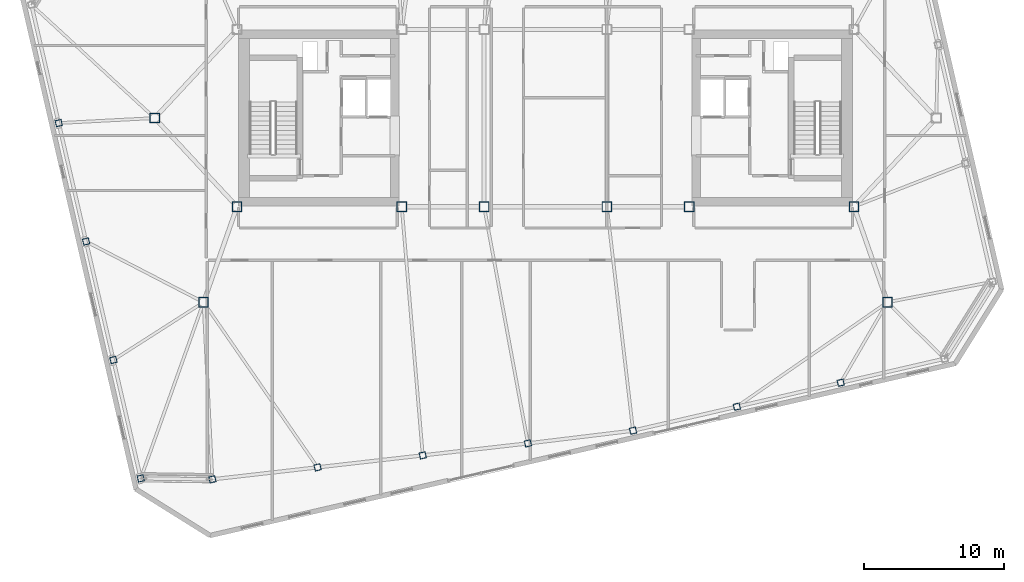
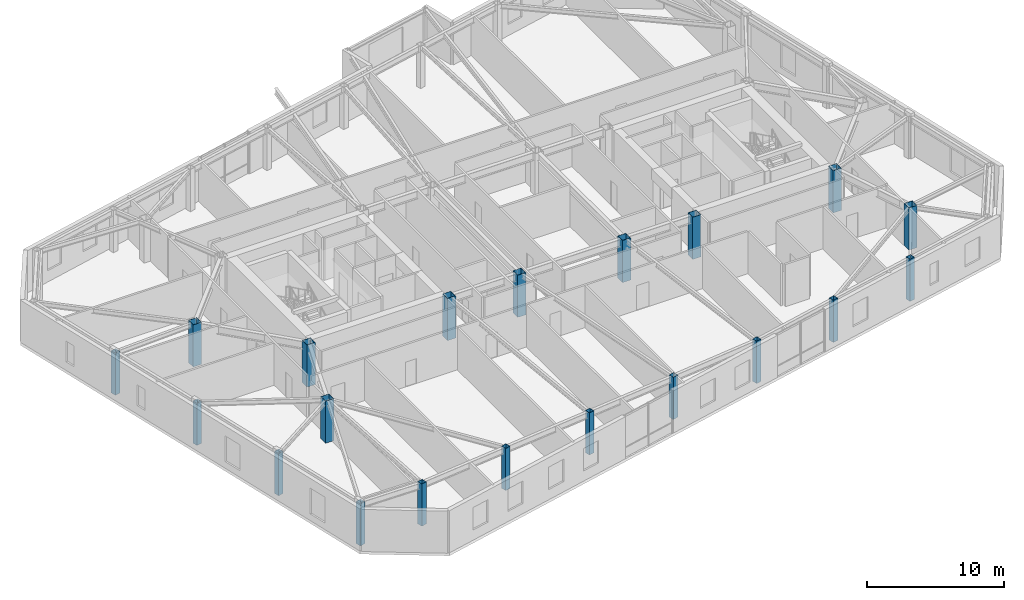
# One storey, part 1 of 22: 20 columns.
"""IFC4 building model written with IfcOpenShell, lengths in metres."""

from ifc_helpers import new_model, si_unit, direction, frame, origin, origin_2d, place, context, subcontext, project, spatial, hollow_rectangle, extrude, material, material_profile, profile_set, type_object, element, save


model = new_model("IFC4")

# Units and contexts
model_context = context("Model", 3, precision=1e-05, world=origin(), true_north=direction((0.0, 1.0)))
body_context = subcontext(model_context, "Body", "Model", "MODEL_VIEW")
ifc_project = project(units=[si_unit("LENGTHUNIT", "METRE"), si_unit("AREAUNIT", "SQUARE_METRE"), si_unit("VOLUMEUNIT", "CUBIC_METRE"), si_unit("PLANEANGLEUNIT", "RADIAN"), si_unit("MASSUNIT", "GRAM", prefix="KILO")], contexts=[model_context])

# Site, building, storey
site_placement = place(None, origin())
site = spatial("IfcSite", under=ifc_project, at=site_placement, CompositionType="ELEMENT")
building_placement = place(site_placement, origin())
building = spatial("IfcBuilding", under=site, at=building_placement, Name="Tavrogorsk Clinical Tower", CompositionType="ELEMENT")
storey_placement = place(building_placement, frame((0.0, 0.0, 317.0)))
storey = spatial("IfcBuildingStorey", under=building, at=storey_placement, Name="L74", CompositionType="ELEMENT", Elevation=317.0)

# Columns
ifc_material_1 = material(Name="Structural steel S440", Category="steel")
ifc_material_profile_1 = material_profile(ifc_material_1, hollow_rectangle(XDim=0.699951171875, YDim=0.699951171875, WallThickness=0.031982421875, at=origin_2d()), Name="BOX-700x700x32")
ifc_profile_set_1 = profile_set([ifc_material_profile_1], Name="Structural steel S440")
column_type_1 = type_object("IfcColumnType", Name="MegaCol_BOX700", PredefinedType="COLUMN", material=ifc_profile_set_1)
for number, where, z_axis, x_axis, name in (
    (1, (-22.10009765625, -6.35009765625, 0.0), (0.0, 0.0, 1.0), (1.0, 0.0, 0.0), "L74 Mega Column MC-W1"),
    (2, (-10.300048828125, -6.35009765625, 0.0), (0.0, 0.0, 1.0), (1.0, 0.0, 0.0), "L74 Mega Column MC-W3"),
    (3, (10.300048828125, -6.35009765625, 0.0), (0.0, 0.0, 1.0), (1.0, 0.0, 0.0), "L74 Mega Column MC-E1"),
    (4, (22.10009765625, -6.35009765625, 0.0), (0.0, 0.0, 1.0), (1.0, 0.0, 0.0), "L74 Mega Column MC-E3"),
    (5, (-4.39990234375, -6.35009765625, 0.0), (0.0, 0.0, 1.0), (1.0, 0.0, 0.0), "L74 Mega Column MC-C1"),
    (6, (4.39990234375, -6.35009765625, 0.0), (0.0, 0.0, 1.0), (1.0, 0.0, 0.0), "L74 Mega Column MC-C2"),
    (7, (-24.5, -13.199951171875, 0.0), (0.0, 0.0, 1.0), (1.0, 0.0, 0.0), "L74 Spine Pilotis Column MC-P1"),
    (8, (24.5, -13.199951171875, 0.0), (0.0, 0.0, 1.0), (1.0, 0.0, 0.0), "L74 Spine Pilotis Column MC-P2"),
    (9, (-28.0, 0.0, 0.0), (0.0, 0.0, 1.0), (1.0, 0.0, 0.0), "L74 Spine Pilotis Column MC-P5"),
):
    element("IfcColumn", number, at=place(storey_placement, frame(where, z_axis=z_axis, x_axis=x_axis)), inside=storey, type_object=column_type_1, Name=name, PredefinedType="COLUMN", context=body_context, shape_type="SweptSolid", body=[
        extrude(hollow_rectangle(XDim=0.699951171875, YDim=0.699951171875, WallThickness=0.031982421875, at=origin_2d()), origin(), (0.0, 0.0, 1.0), 3.739990234375),
    ])
ifc_material_2 = material(Name="Structural steel S440", Category="steel")
ifc_material_profile_2 = material_profile(ifc_material_2, hollow_rectangle(XDim=0.449951171875, YDim=0.449951171875, WallThickness=0.02197265625, at=origin_2d()), Name="BOX-450x450x22")
ifc_profile_set_2 = profile_set([ifc_material_profile_2], Name="Structural steel S440")
column_type_2 = type_object("IfcColumnType", Name="PerimCol_B5_BOX450", PredefinedType="COLUMN", material=ifc_profile_set_2)
for number, where, z_axis, x_axis, name in (
    (10, (-23.866943359375, -25.8857421875, 0.0), (0.0, 0.0, 1.0), (0.974370064785, 0.224951054344, 0.0), "L74 Perimeter Column S1"),
    (11, (-16.330322265625, -25.027099609375, 0.0), (0.0, 0.0, 1.0), (0.974370064785, 0.224951054344, 0.0), "L74 Perimeter Column S2"),
    (12, (-8.7939453125, -24.16845703125, 0.0), (0.0, 0.0, 1.0), (0.974370064785, 0.224951054344, 0.0), "L74 Perimeter Column S3"),
    (13, (-1.257568359375, -23.309814453125, 0.0), (0.0, 0.0, 1.0), (0.974370064785, 0.224951054344, 0.0), "L74 Perimeter Column S4"),
    (14, (6.272705078125, -22.39697265625, 0.0), (0.0, 0.0, 1.0), (0.974370064785, 0.224951054344, 0.0), "L74 Perimeter Column S5"),
    (15, (13.711181640625, -20.6796875, 0.0), (0.0, 0.0, 1.0), (0.974370064785, 0.224951054344, 0.0), "L74 Perimeter Column S6"),
    (16, (21.14990234375, -18.96240234375, 0.0), (0.0, 0.0, 1.0), (0.974370064785, 0.224951054344, 0.0), "L74 Perimeter Column S7"),
    (17, (-34.876708984375, -0.358642578125, 0.0), (0.0, 0.0, 1.0), (0.974370064785, 0.224951054344, 0.0), "L74 Perimeter Column W2"),
    (18, (-32.917236328125, -8.845458984375, 0.0), (0.0, 0.0, 1.0), (0.974370064785, 0.224951054344, 0.0), "L74 Perimeter Column W3"),
    (19, (-30.9580078125, -17.332275390625, 0.0), (0.0, 0.0, 1.0), (0.974370064785, 0.224951054344, 0.0), "L74 Perimeter Column W4"),
    (20, (-28.99853515625, -25.819091796875, 0.0), (0.0, 0.0, 1.0), (0.974370064785, 0.224951054344, 0.0), "L74 Perimeter Column W5"),
):
    element("IfcColumn", number, at=place(storey_placement, frame(where, z_axis=z_axis, x_axis=x_axis)), inside=storey, type_object=column_type_2, Name=name, PredefinedType="COLUMN", context=body_context, shape_type="SweptSolid", body=[
        extrude(hollow_rectangle(XDim=0.449951171875, YDim=0.449951171875, WallThickness=0.02197265625, at=origin_2d()), origin(), (0.0, 0.0, 1.0), 3.739990234375),
    ])

save(model, "model.ifc")
